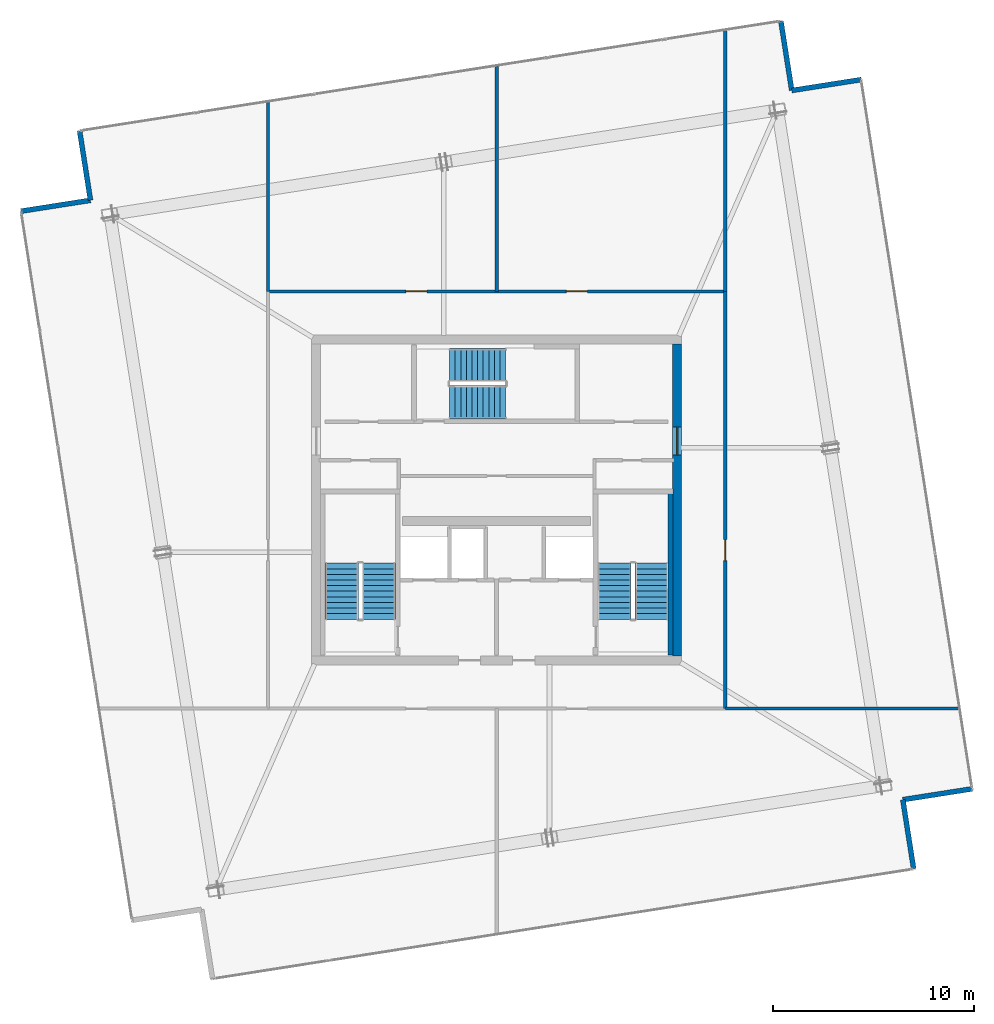
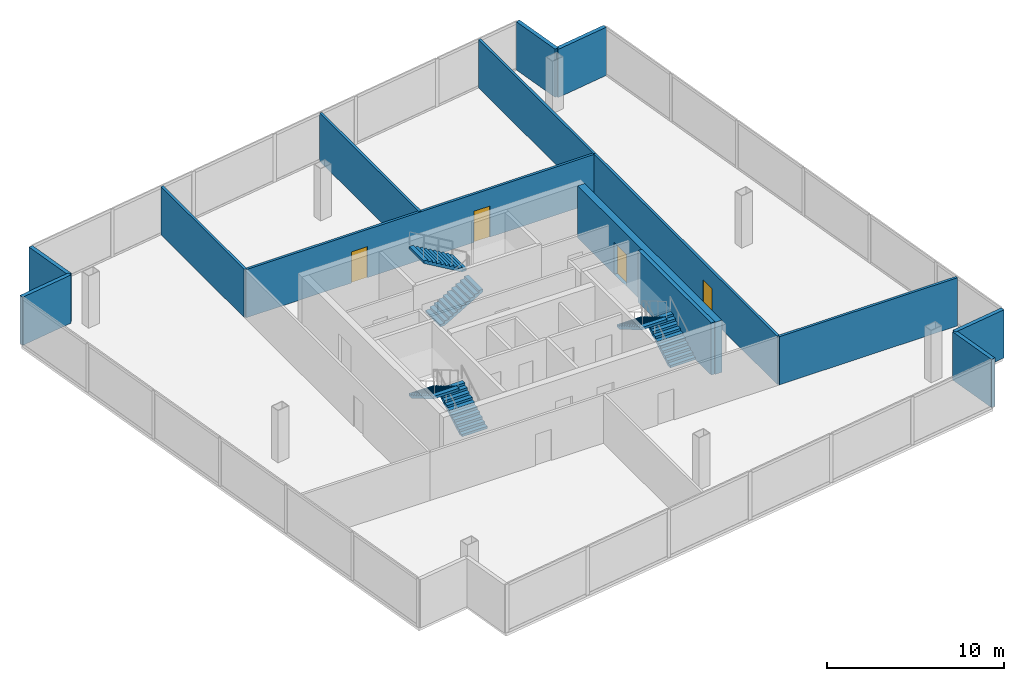
# One storey, part 16 of 17: 14 walls, 6 stair flights, 4 doors, 4 openings, 3 elements without a shape of their own.
"""IFC4 building model written with IfcOpenShell, lengths in metres."""

from ifc_helpers import new_model, si_unit, direction, frame, frame_2d, origin, place, context, subcontext, project, spatial, polyline, rectangle, outline, extrude, material, layer, layer_set, type_object, element, fill, aggregate, save


model = new_model("IFC4")

# Units and contexts
model_context = context("Model", 3, precision=1e-05, world=origin(), true_north=direction((0.0, 1.0)))
body_context = subcontext(model_context, "Body", "Model", "MODEL_VIEW")
ifc_project = project(units=[si_unit("LENGTHUNIT", "METRE"), si_unit("AREAUNIT", "SQUARE_METRE"), si_unit("VOLUMEUNIT", "CUBIC_METRE"), si_unit("PLANEANGLEUNIT", "RADIAN"), si_unit("MASSUNIT", "GRAM", prefix="KILO")], contexts=[model_context])

# Site, building, storey
site_placement = place(None, origin())
site = spatial("IfcSite", under=ifc_project, at=site_placement, CompositionType="ELEMENT")
building_placement = place(site_placement, origin())
building = spatial("IfcBuilding", under=site, at=building_placement, Name="Haldenkirk Collegiate Tower", CompositionType="ELEMENT")
storey_placement = place(building_placement, frame((0.0, 0.0, 367.800048828125)))
storey = spatial("IfcBuildingStorey", under=building, at=storey_placement, Name="L93", CompositionType="ELEMENT", Elevation=367.800048828125)

# Wall, opening, door
ifc_material_1 = material(Name="Concrete f'c 55 MPa", Category="concrete")
ifc_layer_1 = layer(ifc_material_1, 0.449951171875)
ifc_layer_set_1 = layer_set([ifc_layer_1], Name="Concrete f'c 55 MPa")
wall_type_1 = type_object("IfcWallType", Name="WL-CORE-450", PredefinedType="SHEAR", material=ifc_layer_set_1)
wall_1_placement = place(storey_placement, frame((45.0, 18.22509765625, 0.0), z_axis=(0.0, 0.0, 1.0), x_axis=(0.0, 1.0, 0.0)))
wall_1 = element("IfcWall", 1, at=wall_1_placement, inside=storey, type_object=wall_type_1, Name="L93 central core shear wall E", PredefinedType="SHEAR", context=body_context, shape_type="SweptSolid", body=[
    extrude(rectangle(XDim=15.5498046875, YDim=0.449951171875, at=frame_2d((7.77490234375, 0.0))), origin(), (0.0, 0.0, 1.0), 3.599853515625),
])
opening_1_placement = place(wall_1_placement, frame((10.014892578125, 0.0, 0.0)))
opening_1 = element("IfcOpeningElement", 2, at=opening_1_placement, cuts=wall_1, Name="Opening D-03", PredefinedType="OPENING", context=body_context, shape_type="SweptSolid", body=[
    extrude(rectangle(XDim=1.39990234375, YDim=2.199951171875, at=frame_2d((0.699951171875, 1.10009765625))), frame((0.0, 0.23486328125, 0.0), z_axis=(0.0, -1.0, 0.0), x_axis=(1.0, 0.0, 0.0)), (0.0, 0.0, 1.0), 0.469970703125),
])
ifc_material_2 = material(Name="Galvanized fire-rated hollow steel door", Category="steel")
ifc_layer_2 = layer(ifc_material_2, 0.06005859375)
ifc_layer_set_2 = layer_set([ifc_layer_2], Name="Galvanized fire-rated hollow steel door")
door_type_1 = type_object("IfcDoorType", Name="DR-LOBBY-FD90-1400", OperationType="NOTDEFINED", PredefinedType="DOOR", material=ifc_layer_set_2)
door_1_placement = place(opening_1_placement, origin())
door_1 = element("IfcDoor", 3, at=door_1_placement, inside=storey, type_object=door_type_1, Name="L93 east lift lobby portal", OperationType="DOUBLE_DOOR_SINGLE_SWING", OverallHeight=2.199951171875, OverallWidth=1.39990234375, PredefinedType="DOOR", context=body_context, shape_type="SweptSolid", body=[
    extrude(rectangle(XDim=1.39990234375, YDim=2.199951171875, at=frame_2d((0.699951171875, 1.10009765625))), frame((0.0, 0.02490234375, 0.0), z_axis=(0.0, -1.0, 0.0), x_axis=(1.0, 0.0, 0.0)), (0.0, 0.0, 1.0), 0.050048828125),
])
fill(opening_1, door_1)

# Walls
ifc_material_3 = material(Name="Precast concrete f'c 40 MPa", Category="concrete")
ifc_layer_3 = layer(ifc_material_3, 0.25)
ifc_layer_set_3 = layer_set([ifc_layer_3], Name="Precast concrete f'c 40 MPa")
wall_type_2 = type_object("IfcWallType", Name="WL-EXT-CRN-250", PredefinedType="STANDARD", material=ifc_layer_set_3)
for number, where, z_axis, x_axis, name in (
    (4, (50.717529296875, 46.4228515625, 0.0), (0.0, 0.0, 1.0), (0.987958443543, 0.154719468176, 0.0), "L93 crown bronze precast enclosure wall 02"),
    (5, (50.176025390625, 49.880615234375, 0.0), (0.0, 0.0, 1.0), (0.154719468176, -0.987958443543, 0.0), "L93 crown bronze precast enclosure wall 03"),
):
    element("IfcWall", number, at=place(storey_placement, frame(where, z_axis=z_axis, x_axis=x_axis)), inside=storey, type_object=wall_type_2, Name=name, PredefinedType="STANDARD", context=body_context, shape_type="SweptSolid", body=[
        extrude(rectangle(XDim=3.5, YDim=0.25, at=frame_2d((1.75, 0.0))), origin(), (0.0, 0.0, 1.0), 3.329833984375),
    ])
for number, where, z_axis, x_axis, name in (
    (6, (15.743896484375, 40.946044921875, 0.0), (0.0, 0.0, 1.0), (-0.154708806205, 0.987960113204, 0.0), "L93 crown bronze precast enclosure wall 05"),
    (7, (12.285888671875, 40.404541015625, 0.0), (0.0, 0.0, 1.0), (0.987960113204, 0.154708806205, 0.0), "L93 crown bronze precast enclosure wall 06"),
    (8, (56.256103515625, 11.053955078125, 0.0), (0.0, 0.0, 1.0), (0.154708806205, -0.987960113204, 0.0), "L93 crown bronze precast enclosure wall 11"),
    (9, (59.714111328125, 11.595458984375, 0.0), (0.0, 0.0, 1.0), (-0.987960113204, -0.154708806205, 0.0), "L93 crown bronze precast enclosure wall 12"),
):
    element("IfcWall", number, at=place(storey_placement, frame(where, z_axis=z_axis, x_axis=x_axis)), inside=storey, type_object=wall_type_2, Name=name, PredefinedType="STANDARD", context=body_context, shape_type="SweptSolid", body=[
        extrude(rectangle(XDim=3.500244140625, YDim=0.25, at=frame_2d((1.75, 0.0))), origin(), (0.0, 0.0, 1.0), 3.329833984375),
    ])

# Wall, openings, doors
ifc_material_4 = material(Name="Acoustic fire-rated gypsum partition", Category="concrete")
ifc_layer_4 = layer(ifc_material_4, 0.159912109375)
ifc_layer_set_4 = layer_set([ifc_layer_4], Name="Acoustic fire-rated gypsum partition")
wall_type_3 = type_object("IfcWallType", Name="WL-INT-CORR-160", PredefinedType="PARTITIONING", material=ifc_layer_set_4)
wall_2_placement = place(storey_placement, frame((24.60009765625, 36.39990234375, 0.0), z_axis=(0.0, 0.0, 1.0), x_axis=(1.0, 0.0, 0.0)))
wall_2 = element("IfcWall", 10, at=wall_2_placement, inside=storey, type_object=wall_type_3, Name="L93 interior partition IW-L93-CN", PredefinedType="PARTITIONING", context=body_context, shape_type="SweptSolid", body=[
    extrude(rectangle(XDim=22.7998046875, YDim=0.159912109375, at=frame_2d((11.39990234375, 0.0))), origin(), (0.0, 0.0, 1.0), 3.329833984375),
])
opening_2_placement = place(wall_2_placement, frame((6.875, 0.0, 0.0)))
opening_2 = element("IfcOpeningElement", 11, at=opening_2_placement, cuts=wall_2, Name="Opening D-09", PredefinedType="OPENING", context=body_context, shape_type="SweptSolid", body=[
    extrude(rectangle(XDim=1.050048828125, YDim=2.14990234375, at=frame_2d((0.52490234375, 1.074951171875))), frame((0.0, 0.08984375, 0.0), z_axis=(0.0, -1.0, 0.0), x_axis=(1.0, 0.0, 0.0)), (0.0, 0.0, 1.0), 0.179931640625),
])
opening_3_placement = place(wall_2_placement, frame((14.875, 0.0, 0.0)))
opening_3 = element("IfcOpeningElement", 12, at=opening_3_placement, cuts=wall_2, Name="Opening D-09", PredefinedType="OPENING", context=body_context, shape_type="SweptSolid", body=[
    extrude(rectangle(XDim=1.050048828125, YDim=2.14990234375, at=frame_2d((0.52490234375, 1.074951171875))), frame((0.0, 0.08984375, 0.0), z_axis=(0.0, -1.0, 0.0), x_axis=(1.0, 0.0, 0.0)), (0.0, 0.0, 1.0), 0.179931640625),
])
ifc_material_5 = material(Name="Solid-core architectural oak fire door", Category="wood")
ifc_layer_5 = layer(ifc_material_5, 0.06005859375)
ifc_layer_set_5 = layer_set([ifc_layer_5], Name="Solid-core architectural oak fire door")
door_type_2 = type_object("IfcDoorType", Name="DR-INT-FD60-1050", OperationType="NOTDEFINED", PredefinedType="DOOR", material=ifc_layer_set_5)
door_2_placement = place(opening_2_placement, origin())
door_2 = element("IfcDoor", 13, at=door_2_placement, inside=storey, type_object=door_type_2, Name="L93 crown NW plant door", OperationType="SINGLE_SWING_RIGHT", OverallHeight=2.14990234375, OverallWidth=1.050048828125, PredefinedType="DOOR", context=body_context, shape_type="SweptSolid", body=[
    extrude(rectangle(XDim=1.050048828125, YDim=2.14990234375, at=frame_2d((0.52490234375, 1.074951171875))), frame((0.0, 0.02490234375, 0.0), z_axis=(0.0, -1.0, 0.0), x_axis=(1.0, 0.0, 0.0)), (0.0, 0.0, 1.0), 0.050048828125),
])
fill(opening_2, door_2)
door_3_placement = place(opening_3_placement, origin())
door_3 = element("IfcDoor", 14, at=door_3_placement, inside=storey, type_object=door_type_2, Name="L93 crown NE plant door", OperationType="SINGLE_SWING_LEFT", OverallHeight=2.14990234375, OverallWidth=1.050048828125, PredefinedType="DOOR", context=body_context, shape_type="SweptSolid", body=[
    extrude(rectangle(XDim=1.050048828125, YDim=2.14990234375, at=frame_2d((0.52490234375, 1.074951171875))), frame((0.0, 0.02490234375, 0.0), z_axis=(0.0, -1.0, 0.0), x_axis=(1.0, 0.0, 0.0)), (0.0, 0.0, 1.0), 0.050048828125),
])
fill(opening_3, door_3)

# Wall, opening, door
wall_3_placement = place(storey_placement, frame((47.39990234375, 15.60009765625, 0.0), z_axis=(0.0, 0.0, 1.0), x_axis=(0.0, 1.0, 0.0)))
wall_3 = element("IfcWall", 15, at=wall_3_placement, inside=storey, type_object=wall_type_3, Name="L93 interior partition IW-L93-CE", PredefinedType="PARTITIONING", context=body_context, shape_type="SweptSolid", body=[
    extrude(rectangle(XDim=20.7998046875, YDim=0.159912109375, at=frame_2d((10.39990234375, 0.0))), origin(), (0.0, 0.0, 1.0), 3.329833984375),
])
opening_4_placement = place(wall_3_placement, frame((7.375, 0.0, 0.0)))
opening_4 = element("IfcOpeningElement", 16, at=opening_4_placement, cuts=wall_3, Name="Opening D-09", PredefinedType="OPENING", context=body_context, shape_type="SweptSolid", body=[
    extrude(rectangle(XDim=1.050048828125, YDim=2.14990234375, at=frame_2d((0.52490234375, 1.074951171875))), frame((0.0, 0.08984375, 0.0), z_axis=(0.0, -1.0, 0.0), x_axis=(1.0, 0.0, 0.0)), (0.0, 0.0, 1.0), 0.179931640625),
])
door_4_placement = place(opening_4_placement, origin())
door_4 = element("IfcDoor", 17, at=door_4_placement, inside=storey, type_object=door_type_2, Name="L93 crown E plant door", OperationType="SINGLE_SWING_LEFT", OverallHeight=2.14990234375, OverallWidth=1.050048828125, PredefinedType="DOOR", context=body_context, shape_type="SweptSolid", body=[
    extrude(rectangle(XDim=1.050048828125, YDim=2.14990234375, at=frame_2d((0.52490234375, 1.074951171875))), frame((0.0, 0.02490234375, 0.0), z_axis=(0.0, -1.0, 0.0), x_axis=(1.0, 0.0, 0.0)), (0.0, 0.0, 1.0), 0.050048828125),
])
fill(opening_4, door_4)

# Walls
wall_4_placement = place(storey_placement, frame((36.0, 36.39990234375, 0.0), z_axis=(0.0, 0.0, 1.0), x_axis=(0.0, 1.0, 0.0)))
element("IfcWall", 18, at=wall_4_placement, inside=storey, type_object=wall_type_3, Name="L93 interior partition IW-L93-D2", PredefinedType="PARTITIONING", context=body_context, shape_type="SweptSolid", body=[
    extrude(rectangle(XDim=11.220458984375, YDim=0.159912109375, at=frame_2d((5.6103515625, 0.0))), origin(), (0.0, 0.0, 1.0), 3.329833984375),
])
wall_5_placement = place(storey_placement, frame((47.39990234375, 15.60009765625, 0.0), z_axis=(0.0, 0.0, 1.0), x_axis=(1.0, 0.0, 0.0)))
element("IfcWall", 19, at=wall_5_placement, inside=storey, type_object=wall_type_3, Name="L93 interior partition IW-L93-D4", PredefinedType="PARTITIONING", context=body_context, shape_type="SweptSolid", body=[
    extrude(rectangle(XDim=11.646484375, YDim=0.159912109375, at=frame_2d((5.8232421875, 0.0))), origin(), (0.0, 0.0, 1.0), 3.329833984375),
])
wall_6_placement = place(storey_placement, frame((24.60009765625, 36.39990234375, 0.0), z_axis=(0.0, 0.0, 1.0), x_axis=(0.0, 1.0, 0.0)))
element("IfcWall", 20, at=wall_6_placement, inside=storey, type_object=wall_type_3, Name="L93 interior partition IW-L93-D5", PredefinedType="PARTITIONING", context=body_context, shape_type="SweptSolid", body=[
    extrude(rectangle(XDim=9.435302734375, YDim=0.159912109375, at=frame_2d((4.7177734375, 0.0))), origin(), (0.0, 0.0, 1.0), 3.329833984375),
])
wall_7_placement = place(storey_placement, frame((47.39990234375, 36.39990234375, 0.0), z_axis=(0.0, 0.0, 1.0), x_axis=(0.0, 1.0, 0.0)))
element("IfcWall", 21, at=wall_7_placement, inside=storey, type_object=wall_type_3, Name="L93 interior partition IW-L93-D6", PredefinedType="PARTITIONING", context=body_context, shape_type="SweptSolid", body=[
    extrude(rectangle(XDim=13.005615234375, YDim=0.159912109375, at=frame_2d((6.5029296875, 0.0))), origin(), (0.0, 0.0, 1.0), 3.329833984375),
])
ifc_layer_6 = layer(ifc_material_1, 0.239990234375)
ifc_layer_set_6 = layer_set([ifc_layer_6], Name="Concrete f'c 55 MPa")
wall_type_4 = type_object("IfcWallType", Name="WL-SHAFT-240", PredefinedType="SHEAR", material=ifc_layer_set_6)
wall_8_placement = place(storey_placement, frame((44.669921875, 18.280029296875, 0.0), z_axis=(0.0, 0.0, 1.0), x_axis=(0.0, 1.0, 0.0)))
element("IfcWall", 22, at=wall_8_placement, inside=storey, type_object=wall_type_4, Name="L93 stair shaft shear wall SW-L93-ST2E", PredefinedType="SHEAR", context=body_context, shape_type="SweptSolid", body=[
    extrude(rectangle(XDim=8.260009765625, YDim=0.239990234375, at=frame_2d((4.1298828125, 0.0))), origin(), (0.0, 0.0, 1.0), 3.599853515625),
])

# Stair, stair flights
ifc_material_6 = material(Name="Concrete f'c 40 MPa", Category="concrete")
stair_type = type_object("IfcStairType", Name="STR-DOGLEG-1650", PredefinedType="HALF_TURN_STAIR", material=ifc_material_6)
stair_1_placement = place(storey_placement, origin())
stair_1 = element("IfcStair", 23, at=stair_1_placement, inside=storey, type_object=stair_type, Name="L93 Core Exit Stair ST-1", PredefinedType="HALF_TURN_STAIR")
stair_flight_type = type_object("IfcStairFlightType", Name="STF-FLIGHT-1650", PredefinedType="STRAIGHT", material=ifc_material_6)
stair_flight_1_placement = place(storey_placement, frame((30.125, 20.050048828125, 0.0), z_axis=(0.0, 0.0, 1.0), x_axis=(0.0, 1.0, 0.0)))
stair_flight_1 = element("IfcStairFlight", 24, at=stair_flight_1_placement, type_object=stair_flight_type, Name="ST-1 flight 1", NumberOfRisers=11, NumberOfTreads=10, PredefinedType="STRAIGHT", RiserHeight=0.163636364, TreadLength=0.28, context=body_context, shape_type="SweptSolid", body=[
    extrude(outline(polyline([(0.0, 0.0), (0.0, 0.16357421875), (0.280029296875, 0.16357421875), (0.280029296875, 0.327392578125), (0.56005859375, 0.327392578125), (0.56005859375, 0.490966796875), (0.840087890625, 0.490966796875), (0.840087890625, 0.654541015625), (1.1201171875, 0.654541015625), (1.1201171875, 0.818115234375), (1.39990234375, 0.818115234375), (1.39990234375, 0.98193359375), (1.679931640625, 0.98193359375), (1.679931640625, 1.1455078125), (1.9599609375, 1.1455078125), (1.9599609375, 1.30908203125), (2.239990234375, 1.30908203125), (2.239990234375, 1.47265625), (2.52001953125, 1.47265625), (2.52001953125, 1.636474609375), (2.800048828125, 1.636474609375), (2.800048828125, 1.800048828125), (2.800048828125, 1.462646484375), (0.297119140625, 0.0), (0.0, 0.0)])), frame((0.0, 0.824951171875, 0.0), z_axis=(0.0, -1.0, 0.0), x_axis=(1.0, 0.0, 0.0)), (0.0, 0.0, 1.0), 1.64990234375),
])
stair_flight_2_placement = place(storey_placement, frame((28.27490234375, 22.85009765625, 1.800048828125), z_axis=(0.0, 0.0, 1.0), x_axis=(0.0, -1.0, 0.0)))
stair_flight_2 = element("IfcStairFlight", 25, at=stair_flight_2_placement, type_object=stair_flight_type, Name="ST-1 flight 2", NumberOfRisers=11, NumberOfTreads=10, PredefinedType="STRAIGHT", RiserHeight=0.163636364, TreadLength=0.28, context=body_context, shape_type="SweptSolid", body=[
    extrude(outline(polyline([(0.0, 0.0), (0.0, 0.16357421875), (0.280029296875, 0.16357421875), (0.280029296875, 0.327392578125), (0.56005859375, 0.327392578125), (0.56005859375, 0.490966796875), (0.840087890625, 0.490966796875), (0.840087890625, 0.654541015625), (1.1201171875, 0.654541015625), (1.1201171875, 0.818115234375), (1.39990234375, 0.818115234375), (1.39990234375, 0.98193359375), (1.679931640625, 0.98193359375), (1.679931640625, 1.1455078125), (1.9599609375, 1.1455078125), (1.9599609375, 1.30908203125), (2.239990234375, 1.30908203125), (2.239990234375, 1.47265625), (2.52001953125, 1.47265625), (2.52001953125, 1.636474609375), (2.800048828125, 1.636474609375), (2.800048828125, 1.800048828125), (2.800048828125, 1.462646484375), (0.297119140625, 0.0), (0.0, 0.0)])), frame((0.0, 0.824951171875, 0.0), z_axis=(0.0, -1.0, 0.0), x_axis=(1.0, 0.0, 0.0)), (0.0, 0.0, 1.0), 1.64990234375),
])
aggregate(stair_1, [stair_flight_1, stair_flight_2])

stair_2_placement = place(storey_placement, origin())
stair_2 = element("IfcStair", 26, at=stair_2_placement, inside=storey, type_object=stair_type, Name="L93 Core Exit Stair ST-2", PredefinedType="HALF_TURN_STAIR")
stair_flight_3_placement = place(storey_placement, frame((43.72509765625, 20.050048828125, 0.0), z_axis=(0.0, 0.0, 1.0), x_axis=(0.0, 1.0, 0.0)))
stair_flight_3 = element("IfcStairFlight", 27, at=stair_flight_3_placement, type_object=stair_flight_type, Name="ST-2 flight 1", NumberOfRisers=11, NumberOfTreads=10, PredefinedType="STRAIGHT", RiserHeight=0.163636364, TreadLength=0.28, context=body_context, shape_type="SweptSolid", body=[
    extrude(outline(polyline([(0.0, 0.0), (0.0, 0.16357421875), (0.280029296875, 0.16357421875), (0.280029296875, 0.327392578125), (0.56005859375, 0.327392578125), (0.56005859375, 0.490966796875), (0.840087890625, 0.490966796875), (0.840087890625, 0.654541015625), (1.1201171875, 0.654541015625), (1.1201171875, 0.818115234375), (1.39990234375, 0.818115234375), (1.39990234375, 0.98193359375), (1.679931640625, 0.98193359375), (1.679931640625, 1.1455078125), (1.9599609375, 1.1455078125), (1.9599609375, 1.30908203125), (2.239990234375, 1.30908203125), (2.239990234375, 1.47265625), (2.52001953125, 1.47265625), (2.52001953125, 1.636474609375), (2.800048828125, 1.636474609375), (2.800048828125, 1.800048828125), (2.800048828125, 1.462646484375), (0.297119140625, 0.0), (0.0, 0.0)])), frame((0.0, 0.824951171875, 0.0), z_axis=(0.0, -1.0, 0.0), x_axis=(1.0, 0.0, 0.0)), (0.0, 0.0, 1.0), 1.64990234375),
])
stair_flight_4_placement = place(storey_placement, frame((41.875, 22.85009765625, 1.800048828125), z_axis=(0.0, 0.0, 1.0), x_axis=(0.0, -1.0, 0.0)))
stair_flight_4 = element("IfcStairFlight", 28, at=stair_flight_4_placement, type_object=stair_flight_type, Name="ST-2 flight 2", NumberOfRisers=11, NumberOfTreads=10, PredefinedType="STRAIGHT", RiserHeight=0.163636364, TreadLength=0.28, context=body_context, shape_type="SweptSolid", body=[
    extrude(outline(polyline([(0.0, 0.0), (0.0, 0.16357421875), (0.280029296875, 0.16357421875), (0.280029296875, 0.327392578125), (0.56005859375, 0.327392578125), (0.56005859375, 0.490966796875), (0.840087890625, 0.490966796875), (0.840087890625, 0.654541015625), (1.1201171875, 0.654541015625), (1.1201171875, 0.818115234375), (1.39990234375, 0.818115234375), (1.39990234375, 0.98193359375), (1.679931640625, 0.98193359375), (1.679931640625, 1.1455078125), (1.9599609375, 1.1455078125), (1.9599609375, 1.30908203125), (2.239990234375, 1.30908203125), (2.239990234375, 1.47265625), (2.52001953125, 1.47265625), (2.52001953125, 1.636474609375), (2.800048828125, 1.636474609375), (2.800048828125, 1.800048828125), (2.800048828125, 1.462646484375), (0.297119140625, 0.0), (0.0, 0.0)])), frame((0.0, 0.824951171875, 0.0), z_axis=(0.0, -1.0, 0.0), x_axis=(1.0, 0.0, 0.0)), (0.0, 0.0, 1.0), 1.64990234375),
])
aggregate(stair_2, [stair_flight_3, stair_flight_4])

stair_3_placement = place(storey_placement, origin())
stair_3 = element("IfcStair", 29, at=stair_3_placement, inside=storey, type_object=stair_type, Name="L93 Core Exit Stair ST-3", PredefinedType="HALF_TURN_STAIR")
stair_flight_5_placement = place(storey_placement, frame((33.64990234375, 30.875, 0.0), z_axis=(0.0, 0.0, 1.0), x_axis=(1.0, 0.0, 0.0)))
stair_flight_5 = element("IfcStairFlight", 30, at=stair_flight_5_placement, type_object=stair_flight_type, Name="ST-3 flight 1", NumberOfRisers=11, NumberOfTreads=10, PredefinedType="STRAIGHT", RiserHeight=0.163636364, TreadLength=0.28, context=body_context, shape_type="SweptSolid", body=[
    extrude(outline(polyline([(0.0, 0.0), (0.0, 0.16357421875), (0.280029296875, 0.16357421875), (0.280029296875, 0.327392578125), (0.56005859375, 0.327392578125), (0.56005859375, 0.490966796875), (0.840087890625, 0.490966796875), (0.840087890625, 0.654541015625), (1.1201171875, 0.654541015625), (1.1201171875, 0.818115234375), (1.39990234375, 0.818115234375), (1.39990234375, 0.98193359375), (1.679931640625, 0.98193359375), (1.679931640625, 1.1455078125), (1.9599609375, 1.1455078125), (1.9599609375, 1.30908203125), (2.239990234375, 1.30908203125), (2.239990234375, 1.47265625), (2.52001953125, 1.47265625), (2.52001953125, 1.636474609375), (2.800048828125, 1.636474609375), (2.800048828125, 1.800048828125), (2.800048828125, 1.462646484375), (0.297119140625, 0.0), (0.0, 0.0)])), frame((0.0, 0.824951171875, 0.0), z_axis=(0.0, -1.0, 0.0), x_axis=(1.0, 0.0, 0.0)), (0.0, 0.0, 1.0), 1.64990234375),
])
stair_flight_6_placement = place(storey_placement, frame((36.449951171875, 32.72509765625, 1.800048828125), z_axis=(0.0, 0.0, 1.0), x_axis=(-1.0, 0.0, 0.0)))
stair_flight_6 = element("IfcStairFlight", 31, at=stair_flight_6_placement, type_object=stair_flight_type, Name="ST-3 flight 2", NumberOfRisers=11, NumberOfTreads=10, PredefinedType="STRAIGHT", RiserHeight=0.163636364, TreadLength=0.28, context=body_context, shape_type="SweptSolid", body=[
    extrude(outline(polyline([(0.0, 0.0), (0.0, 0.16357421875), (0.280029296875, 0.16357421875), (0.280029296875, 0.327392578125), (0.56005859375, 0.327392578125), (0.56005859375, 0.490966796875), (0.840087890625, 0.490966796875), (0.840087890625, 0.654541015625), (1.1201171875, 0.654541015625), (1.1201171875, 0.818115234375), (1.39990234375, 0.818115234375), (1.39990234375, 0.98193359375), (1.679931640625, 0.98193359375), (1.679931640625, 1.1455078125), (1.9599609375, 1.1455078125), (1.9599609375, 1.30908203125), (2.239990234375, 1.30908203125), (2.239990234375, 1.47265625), (2.52001953125, 1.47265625), (2.52001953125, 1.636474609375), (2.800048828125, 1.636474609375), (2.800048828125, 1.800048828125), (2.800048828125, 1.462646484375), (0.297119140625, 0.0), (0.0, 0.0)])), frame((0.0, 0.824951171875, 0.0), z_axis=(0.0, -1.0, 0.0), x_axis=(1.0, 0.0, 0.0)), (0.0, 0.0, 1.0), 1.64990234375),
])
aggregate(stair_3, [stair_flight_5, stair_flight_6])

save(model, "model.ifc")
